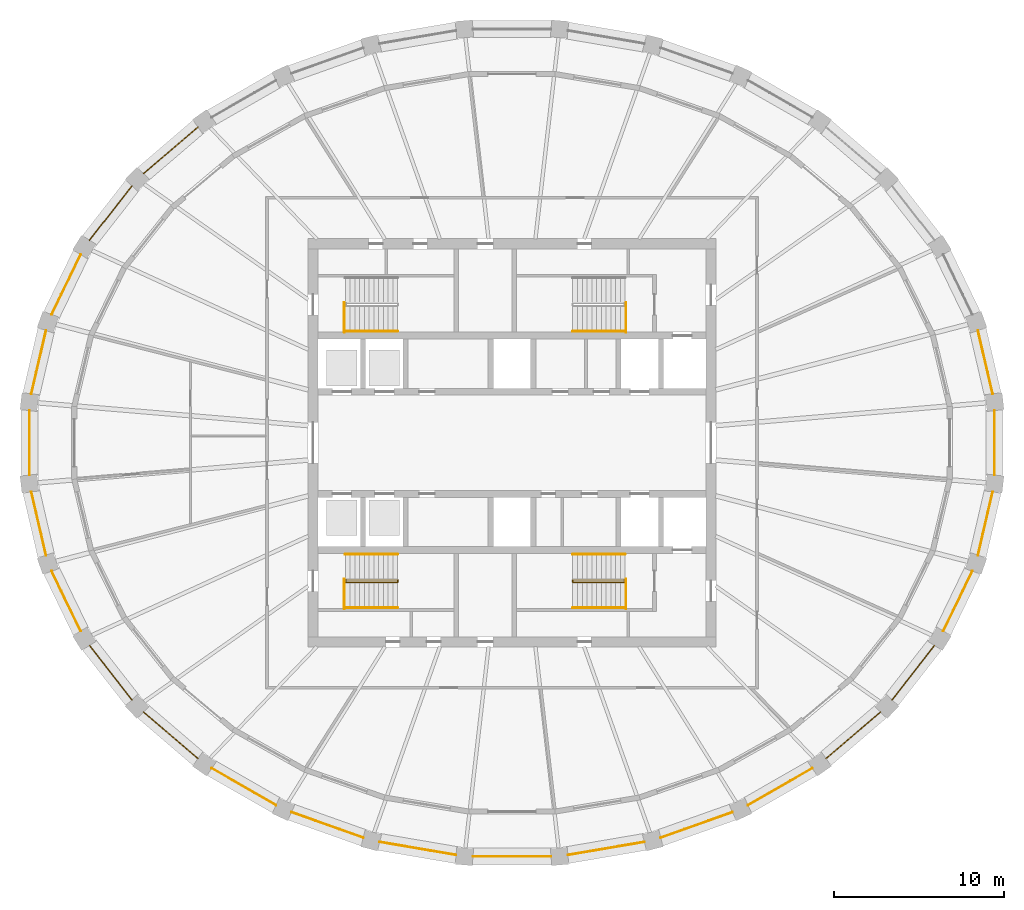
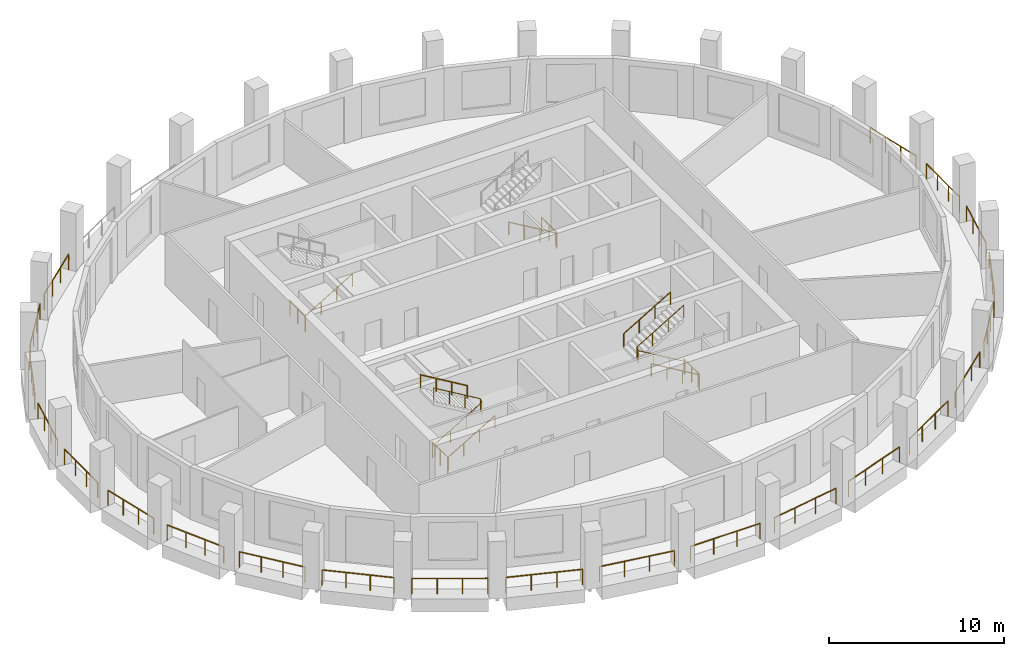
# One storey, part 8 of 10: 34 railings.
"""IFC4 building model written with IfcOpenShell, lengths in metres."""

from ifc_helpers import new_model, si_unit, direction, frame, origin, origin_2d, place, context, subcontext, project, spatial, circle, extrude, material, type_object, element, save


model = new_model("IFC4")

# Units and contexts
model_context = context("Model", 3, precision=1e-05, world=origin(), true_north=direction((0.0, 1.0)))
body_context = subcontext(model_context, "Body", "Model", "MODEL_VIEW")
ifc_project = project(units=[si_unit("LENGTHUNIT", "METRE"), si_unit("AREAUNIT", "SQUARE_METRE"), si_unit("VOLUMEUNIT", "CUBIC_METRE"), si_unit("PLANEANGLEUNIT", "RADIAN"), si_unit("MASSUNIT", "GRAM", prefix="KILO")], contexts=[model_context])

# Site, building, storey
site_placement = place(None, origin())
site = spatial("IfcSite", under=ifc_project, at=site_placement, CompositionType="ELEMENT")
building_placement = place(site_placement, origin())
building = spatial("IfcBuilding", under=site, at=building_placement, Name="Halqa Exchange Tower", CompositionType="ELEMENT")
storey_placement = place(building_placement, frame((0.0, 0.0, 324.300048828125)))
storey = spatial("IfcBuildingStorey", under=building, at=storey_placement, Name="L76", CompositionType="ELEMENT", Elevation=324.300048828125)

# Railings
ifc_material = material(Name="Stainless steel", Category="steel")
railing_type_1 = type_object("IfcRailingType", Name="Guard 1100 stainless steel", PredefinedType="GUARDRAIL", material=ifc_material)
railing_1_placement = place(storey_placement, frame((28.249755859375, 2.881591796875, 0.0)))
element("IfcRailing", 1, at=railing_1_placement, inside=storey, type_object=railing_type_1, Name="Loggia guard 1", PredefinedType="GUARDRAIL", context=body_context, shape_type="SweptSolid", body=[
    extrude(circle(Radius=0.02392578125, at=origin_2d()), frame((0.0, 0.0, 1.076171875), z_axis=(-0.226100478953, 0.97410398491, 0.0), x_axis=(-0.97410398491, -0.226100478953, 0.0)), (0.0, 0.0, 1.0), 3.8212890625),
    extrude(circle(Radius=0.02099609375, at=origin_2d()), origin(), (0.0, 0.0, 1.0), 1.052001953125),
    extrude(circle(Radius=0.02099609375, at=origin_2d()), frame((-0.2880859375, 1.24072265625, 0.0)), (0.0, 0.0, 1.0), 1.052001953125),
    extrude(circle(Radius=0.02099609375, at=origin_2d()), frame((-0.575927734375, 2.481689453125, 0.0)), (0.0, 0.0, 1.0), 1.052001953125),
    extrude(circle(Radius=0.02099609375, at=origin_2d()), frame((-0.864013671875, 3.722412109375, 0.0)), (0.0, 0.0, 1.0), 1.052001953125),
])
railing_2_placement = place(storey_placement, frame((-18.459716796875, 18.55810546875, 0.0)))
element("IfcRailing", 2, at=railing_2_placement, inside=storey, type_object=railing_type_1, Name="Loggia guard 12", PredefinedType="GUARDRAIL", context=body_context, shape_type="SweptSolid", body=[
    extrude(circle(Radius=0.02392578125, at=origin_2d()), frame((0.0, 0.0, 1.076171875), z_axis=(-0.75927300229, -0.650772239723, 0.0), x_axis=(0.650772239723, -0.75927300229, 0.0)), (0.0, 0.0, 1.0), 4.203125),
    extrude(circle(Radius=0.02099609375, at=origin_2d()), origin(), (0.0, 0.0, 1.0), 1.052001953125),
    extrude(circle(Radius=0.02099609375, at=origin_2d()), frame((-1.063720703125, -0.911865234375, 0.0)), (0.0, 0.0, 1.0), 1.052001953125),
    extrude(circle(Radius=0.02099609375, at=origin_2d()), frame((-2.127685546875, -1.823486328125, 0.0)), (0.0, 0.0, 1.0), 1.052001953125),
    extrude(circle(Radius=0.02099609375, at=origin_2d()), frame((-3.19140625, -2.7353515625, 0.0)), (0.0, 0.0, 1.0), 1.052001953125),
])
railing_3_placement = place(storey_placement, frame((-22.338134765625, 15.10302734375, 0.0)))
element("IfcRailing", 3, at=railing_3_placement, inside=storey, type_object=railing_type_1, Name="Loggia guard 13", PredefinedType="GUARDRAIL", context=body_context, shape_type="SweptSolid", body=[
    extrude(circle(Radius=0.02392578125, at=origin_2d()), frame((0.0, 0.0, 1.076171875), z_axis=(-0.614821078368, -0.788666622594, 0.0), x_axis=(0.788666622594, -0.614821078368, 0.0)), (0.0, 0.0, 1.0), 4.048828125),
    extrude(circle(Radius=0.02099609375, at=origin_2d()), origin(), (0.0, 0.0, 1.0), 1.052001953125),
    extrude(circle(Radius=0.02099609375, at=origin_2d()), frame((-0.829833984375, -1.064453125, 0.0)), (0.0, 0.0, 1.0), 1.052001953125),
    extrude(circle(Radius=0.02099609375, at=origin_2d()), frame((-1.659423828125, -2.128662109375, 0.0)), (0.0, 0.0, 1.0), 1.052001953125),
    extrude(circle(Radius=0.02099609375, at=origin_2d()), frame((-2.4892578125, -3.193115234375, 0.0)), (0.0, 0.0, 1.0), 1.052001953125),
])
railing_4_placement = place(storey_placement, frame((-25.352294921875, 11.0654296875, 0.0)))
element("IfcRailing", 4, at=railing_4_placement, inside=storey, type_object=railing_type_1, Name="Loggia guard 14", PredefinedType="GUARDRAIL", context=body_context, shape_type="SweptSolid", body=[
    extrude(circle(Radius=0.02392578125, at=origin_2d()), frame((0.0, 0.0, 1.076171875), z_axis=(-0.435146748862, -0.900359543158, 0.0), x_axis=(0.900359543158, -0.435146748862, 0.0)), (0.0, 0.0, 1.0), 3.913818359375),
    extrude(circle(Radius=0.02099609375, at=origin_2d()), origin(), (0.0, 0.0, 1.0), 1.052001953125),
    extrude(circle(Radius=0.02099609375, at=origin_2d()), frame((-0.567626953125, -1.174560546875, 0.0)), (0.0, 0.0, 1.0), 1.052001953125),
    extrude(circle(Radius=0.02099609375, at=origin_2d()), frame((-1.135498046875, -2.349365234375, 0.0)), (0.0, 0.0, 1.0), 1.052001953125),
    extrude(circle(Radius=0.02099609375, at=origin_2d()), frame((-1.703125, -3.52392578125, 0.0)), (0.0, 0.0, 1.0), 1.052001953125),
])
railing_5_placement = place(storey_placement, frame((-27.3857421875, 6.60400390625, 0.0)))
element("IfcRailing", 5, at=railing_5_placement, inside=storey, type_object=railing_type_1, Name="Loggia guard 15", PredefinedType="GUARDRAIL", context=body_context, shape_type="SweptSolid", body=[
    extrude(circle(Radius=0.02392578125, at=origin_2d()), frame((0.0, 0.0, 1.076171875), z_axis=(-0.226100478953, -0.97410398491, 0.0), x_axis=(0.97410398491, -0.226100478953, 0.0)), (0.0, 0.0, 1.0), 3.8212890625),
    extrude(circle(Radius=0.02099609375, at=origin_2d()), origin(), (0.0, 0.0, 1.0), 1.052001953125),
    extrude(circle(Radius=0.02099609375, at=origin_2d()), frame((-0.2880859375, -1.24072265625, 0.0)), (0.0, 0.0, 1.0), 1.052001953125),
    extrude(circle(Radius=0.02099609375, at=origin_2d()), frame((-0.575927734375, -2.481689453125, 0.0)), (0.0, 0.0, 1.0), 1.052001953125),
    extrude(circle(Radius=0.02099609375, at=origin_2d()), frame((-0.864013671875, -3.722412109375, 0.0)), (0.0, 0.0, 1.0), 1.052001953125),
])
railing_6_placement = place(storey_placement, frame((-28.36279296875, 1.894287109375, 0.0)))
element("IfcRailing", 6, at=railing_6_placement, inside=storey, type_object=railing_type_1, Name="Loggia guard 16", PredefinedType="GUARDRAIL", context=body_context, shape_type="SweptSolid", body=[
    extrude(circle(Radius=0.02392578125, at=origin_2d()), frame((0.0, 0.0, 1.076171875), z_axis=(0.0, -1.0, 0.0), x_axis=(1.0, 0.0, 0.0)), (0.0, 0.0, 1.0), 3.78857421875),
    extrude(circle(Radius=0.02099609375, at=origin_2d()), origin(), (0.0, 0.0, 1.0), 1.052001953125),
    extrude(circle(Radius=0.02099609375, at=origin_2d()), frame((0.0, -1.262939453125, 0.0)), (0.0, 0.0, 1.0), 1.052001953125),
    extrude(circle(Radius=0.02099609375, at=origin_2d()), frame((0.0, -2.525634765625, 0.0)), (0.0, 0.0, 1.0), 1.052001953125),
    extrude(circle(Radius=0.02099609375, at=origin_2d()), frame((0.0, -3.78857421875, 0.0)), (0.0, 0.0, 1.0), 1.052001953125),
])
railing_7_placement = place(storey_placement, frame((-28.249755859375, -2.881591796875, 0.0)))
element("IfcRailing", 7, at=railing_7_placement, inside=storey, type_object=railing_type_1, Name="Loggia guard 17", PredefinedType="GUARDRAIL", context=body_context, shape_type="SweptSolid", body=[
    extrude(circle(Radius=0.02392578125, at=origin_2d()), frame((0.0, 0.0, 1.076171875), z_axis=(0.226100478953, -0.97410398491, 0.0), x_axis=(0.97410398491, 0.226100478953, 0.0)), (0.0, 0.0, 1.0), 3.8212890625),
    extrude(circle(Radius=0.02099609375, at=origin_2d()), origin(), (0.0, 0.0, 1.0), 1.052001953125),
    extrude(circle(Radius=0.02099609375, at=origin_2d()), frame((0.2880859375, -1.24072265625, 0.0)), (0.0, 0.0, 1.0), 1.052001953125),
    extrude(circle(Radius=0.02099609375, at=origin_2d()), frame((0.575927734375, -2.481689453125, 0.0)), (0.0, 0.0, 1.0), 1.052001953125),
    extrude(circle(Radius=0.02099609375, at=origin_2d()), frame((0.864013671875, -3.722412109375, 0.0)), (0.0, 0.0, 1.0), 1.052001953125),
])
railing_8_placement = place(storey_placement, frame((-27.055419921875, -7.54150390625, 0.0)))
element("IfcRailing", 8, at=railing_8_placement, inside=storey, type_object=railing_type_1, Name="Loggia guard 18", PredefinedType="GUARDRAIL", context=body_context, shape_type="SweptSolid", body=[
    extrude(circle(Radius=0.02392578125, at=origin_2d()), frame((0.0, 0.0, 1.076171875), z_axis=(0.435146748862, -0.900359543158, 0.0), x_axis=(0.900359543158, 0.435146748862, 0.0)), (0.0, 0.0, 1.0), 3.913818359375),
    extrude(circle(Radius=0.02099609375, at=origin_2d()), origin(), (0.0, 0.0, 1.0), 1.052001953125),
    extrude(circle(Radius=0.02099609375, at=origin_2d()), frame((0.567626953125, -1.174560546875, 0.0)), (0.0, 0.0, 1.0), 1.052001953125),
    extrude(circle(Radius=0.02099609375, at=origin_2d()), frame((1.135498046875, -2.349365234375, 0.0)), (0.0, 0.0, 1.0), 1.052001953125),
    extrude(circle(Radius=0.02099609375, at=origin_2d()), frame((1.703125, -3.52392578125, 0.0)), (0.0, 0.0, 1.0), 1.052001953125),
])
railing_9_placement = place(storey_placement, frame((-24.827392578125, -11.909912109375, 0.0)))
element("IfcRailing", 9, at=railing_9_placement, inside=storey, type_object=railing_type_1, Name="Loggia guard 19", PredefinedType="GUARDRAIL", context=body_context, shape_type="SweptSolid", body=[
    extrude(circle(Radius=0.02392578125, at=origin_2d()), frame((0.0, 0.0, 1.076171875), z_axis=(0.614821078368, -0.788666622594, 0.0), x_axis=(0.788666622594, 0.614821078368, 0.0)), (0.0, 0.0, 1.0), 4.048828125),
    extrude(circle(Radius=0.02099609375, at=origin_2d()), origin(), (0.0, 0.0, 1.0), 1.052001953125),
    extrude(circle(Radius=0.02099609375, at=origin_2d()), frame((0.829833984375, -1.064453125, 0.0)), (0.0, 0.0, 1.0), 1.052001953125),
    extrude(circle(Radius=0.02099609375, at=origin_2d()), frame((1.659423828125, -2.128662109375, 0.0)), (0.0, 0.0, 1.0), 1.052001953125),
    extrude(circle(Radius=0.02099609375, at=origin_2d()), frame((2.4892578125, -3.193115234375, 0.0)), (0.0, 0.0, 1.0), 1.052001953125),
])
railing_10_placement = place(storey_placement, frame((-21.651123046875, -15.82275390625, 0.0)))
element("IfcRailing", 10, at=railing_10_placement, inside=storey, type_object=railing_type_1, Name="Loggia guard 20", PredefinedType="GUARDRAIL", context=body_context, shape_type="SweptSolid", body=[
    extrude(circle(Radius=0.02392578125, at=origin_2d()), frame((0.0, 0.0, 1.076171875), z_axis=(0.75927300229, -0.650772239723, 0.0), x_axis=(0.650772239723, 0.75927300229, 0.0)), (0.0, 0.0, 1.0), 4.203125),
    extrude(circle(Radius=0.02099609375, at=origin_2d()), origin(), (0.0, 0.0, 1.0), 1.052001953125),
    extrude(circle(Radius=0.02099609375, at=origin_2d()), frame((1.063720703125, -0.911865234375, 0.0)), (0.0, 0.0, 1.0), 1.052001953125),
    extrude(circle(Radius=0.02099609375, at=origin_2d()), frame((2.127685546875, -1.823486328125, 0.0)), (0.0, 0.0, 1.0), 1.052001953125),
    extrude(circle(Radius=0.02099609375, at=origin_2d()), frame((3.19140625, -2.7353515625, 0.0)), (0.0, 0.0, 1.0), 1.052001953125),
])
railing_11_placement = place(storey_placement, frame((-17.646240234375, -19.132080078125, 0.0)))
element("IfcRailing", 11, at=railing_11_placement, inside=storey, type_object=railing_type_1, Name="Loggia guard 21", PredefinedType="GUARDRAIL", context=body_context, shape_type="SweptSolid", body=[
    extrude(circle(Radius=0.02392578125, at=origin_2d()), frame((0.0, 0.0, 1.076171875), z_axis=(0.867752650497, -0.496996315434, 0.0), x_axis=(0.496996315434, 0.867752650497, 0.0)), (0.0, 0.0, 1.0), 4.353271484375),
    extrude(circle(Radius=0.02099609375, at=origin_2d()), origin(), (0.0, 0.0, 1.0), 1.052001953125),
    extrude(circle(Radius=0.02099609375, at=origin_2d()), frame((1.25927734375, -0.72119140625, 0.0)), (0.0, 0.0, 1.0), 1.052001953125),
    extrude(circle(Radius=0.02099609375, at=origin_2d()), frame((2.518310546875, -1.4423828125, 0.0)), (0.0, 0.0, 1.0), 1.052001953125),
    extrude(circle(Radius=0.02099609375, at=origin_2d()), frame((3.777587890625, -2.16357421875, 0.0)), (0.0, 0.0, 1.0), 1.052001953125),
])
railing_12_placement = place(storey_placement, frame((-12.963623046875, -21.71142578125, 0.0)))
element("IfcRailing", 12, at=railing_12_placement, inside=storey, type_object=railing_type_1, Name="Loggia guard 22", PredefinedType="GUARDRAIL", context=body_context, shape_type="SweptSolid", body=[
    extrude(circle(Radius=0.02392578125, at=origin_2d()), frame((0.0, 0.0, 1.076171875), z_axis=(0.942364531835, -0.334587939321, 0.0), x_axis=(0.334587939321, 0.942364531835, 0.0)), (0.0, 0.0, 1.0), 4.477294921875),
    extrude(circle(Radius=0.02099609375, at=origin_2d()), origin(), (0.0, 0.0, 1.0), 1.052001953125),
    extrude(circle(Radius=0.02099609375, at=origin_2d()), frame((1.406494140625, -0.499267578125, 0.0)), (0.0, 0.0, 1.0), 1.052001953125),
    extrude(circle(Radius=0.02099609375, at=origin_2d()), frame((2.812744140625, -0.998779296875, 0.0)), (0.0, 0.0, 1.0), 1.052001953125),
    extrude(circle(Radius=0.02099609375, at=origin_2d()), frame((4.21923828125, -1.498046875, 0.0)), (0.0, 0.0, 1.0), 1.052001953125),
])
railing_13_placement = place(storey_placement, frame((-7.7802734375, -23.460693359375, 0.0)))
element("IfcRailing", 13, at=railing_13_placement, inside=storey, type_object=railing_type_1, Name="Loggia guard 23", PredefinedType="GUARDRAIL", context=body_context, shape_type="SweptSolid", body=[
    extrude(circle(Radius=0.02392578125, at=origin_2d()), frame((0.0, 0.0, 1.076171875), z_axis=(0.985768911013, -0.168106079843, 0.0), x_axis=(0.168106079843, 0.985768911013, 0.0)), (0.0, 0.0, 1.0), 4.558837890625),
    extrude(circle(Radius=0.02099609375, at=origin_2d()), origin(), (0.0, 0.0, 1.0), 1.052001953125),
    extrude(circle(Radius=0.02099609375, at=origin_2d()), frame((1.498046875, -0.25537109375, 0.0)), (0.0, 0.0, 1.0), 1.052001953125),
    extrude(circle(Radius=0.02099609375, at=origin_2d()), frame((2.995849609375, -0.510986328125, 0.0)), (0.0, 0.0, 1.0), 1.052001953125),
    extrude(circle(Radius=0.02099609375, at=origin_2d()), frame((4.493896484375, -0.766357421875, 0.0)), (0.0, 0.0, 1.0), 1.052001953125),
])
railing_14_placement = place(storey_placement, frame((-2.29345703125, -24.31103515625, 0.0)))
element("IfcRailing", 14, at=railing_14_placement, inside=storey, type_object=railing_type_1, Name="Loggia guard 24", PredefinedType="GUARDRAIL", context=body_context, shape_type="SweptSolid", body=[
    extrude(circle(Radius=0.02392578125, at=origin_2d()), frame((0.0, 0.0, 1.076171875), z_axis=(1.0, 0.0, 0.0), x_axis=(0.0, 1.0, 0.0)), (0.0, 0.0, 1.0), 4.5869140625),
    extrude(circle(Radius=0.02099609375, at=origin_2d()), origin(), (0.0, 0.0, 1.0), 1.052001953125),
    extrude(circle(Radius=0.02099609375, at=origin_2d()), frame((1.529052734375, 0.0, 0.0)), (0.0, 0.0, 1.0), 1.052001953125),
    extrude(circle(Radius=0.02099609375, at=origin_2d()), frame((3.057861328125, 0.0, 0.0)), (0.0, 0.0, 1.0), 1.052001953125),
    extrude(circle(Radius=0.02099609375, at=origin_2d()), frame((4.5869140625, 0.0, 0.0)), (0.0, 0.0, 1.0), 1.052001953125),
])
railing_15_placement = place(storey_placement, frame((3.286376953125, -24.22705078125, 0.0)))
element("IfcRailing", 15, at=railing_15_placement, inside=storey, type_object=railing_type_1, Name="Loggia guard 25", PredefinedType="GUARDRAIL", context=body_context, shape_type="SweptSolid", body=[
    extrude(circle(Radius=0.02392578125, at=origin_2d()), frame((0.0, 0.0, 1.076171875), z_axis=(0.985768911013, 0.168106079843, 0.0), x_axis=(-0.168106079843, 0.985768911013, 0.0)), (0.0, 0.0, 1.0), 4.558837890625),
    extrude(circle(Radius=0.02099609375, at=origin_2d()), origin(), (0.0, 0.0, 1.0), 1.052001953125),
    extrude(circle(Radius=0.02099609375, at=origin_2d()), frame((1.498046875, 0.25537109375, 0.0)), (0.0, 0.0, 1.0), 1.052001953125),
    extrude(circle(Radius=0.02099609375, at=origin_2d()), frame((2.995849609375, 0.510986328125, 0.0)), (0.0, 0.0, 1.0), 1.052001953125),
    extrude(circle(Radius=0.02099609375, at=origin_2d()), frame((4.493896484375, 0.766357421875, 0.0)), (0.0, 0.0, 1.0), 1.052001953125),
])
railing_16_placement = place(storey_placement, frame((8.744384765625, -23.20947265625, 0.0)))
element("IfcRailing", 16, at=railing_16_placement, inside=storey, type_object=railing_type_1, Name="Loggia guard 26", PredefinedType="GUARDRAIL", context=body_context, shape_type="SweptSolid", body=[
    extrude(circle(Radius=0.02392578125, at=origin_2d()), frame((0.0, 0.0, 1.076171875), z_axis=(0.942364531835, 0.334587939321, 0.0), x_axis=(-0.334587939321, 0.942364531835, 0.0)), (0.0, 0.0, 1.0), 4.477294921875),
    extrude(circle(Radius=0.02099609375, at=origin_2d()), origin(), (0.0, 0.0, 1.0), 1.052001953125),
    extrude(circle(Radius=0.02099609375, at=origin_2d()), frame((1.406494140625, 0.499267578125, 0.0)), (0.0, 0.0, 1.0), 1.052001953125),
    extrude(circle(Radius=0.02099609375, at=origin_2d()), frame((2.812744140625, 0.998779296875, 0.0)), (0.0, 0.0, 1.0), 1.052001953125),
    extrude(circle(Radius=0.02099609375, at=origin_2d()), frame((4.21923828125, 1.498046875, 0.0)), (0.0, 0.0, 1.0), 1.052001953125),
])
railing_17_placement = place(storey_placement, frame((13.86865234375, -21.295654296875, 0.0)))
element("IfcRailing", 17, at=railing_17_placement, inside=storey, type_object=railing_type_1, Name="Loggia guard 27", PredefinedType="GUARDRAIL", context=body_context, shape_type="SweptSolid", body=[
    extrude(circle(Radius=0.02392578125, at=origin_2d()), frame((0.0, 0.0, 1.076171875), z_axis=(0.867752650497, 0.496996315434, 0.0), x_axis=(-0.496996315434, 0.867752650497, 0.0)), (0.0, 0.0, 1.0), 4.353271484375),
    extrude(circle(Radius=0.02099609375, at=origin_2d()), origin(), (0.0, 0.0, 1.0), 1.052001953125),
    extrude(circle(Radius=0.02099609375, at=origin_2d()), frame((1.25927734375, 0.72119140625, 0.0)), (0.0, 0.0, 1.0), 1.052001953125),
    extrude(circle(Radius=0.02099609375, at=origin_2d()), frame((2.518310546875, 1.4423828125, 0.0)), (0.0, 0.0, 1.0), 1.052001953125),
    extrude(circle(Radius=0.02099609375, at=origin_2d()), frame((3.777587890625, 2.16357421875, 0.0)), (0.0, 0.0, 1.0), 1.052001953125),
])
railing_18_placement = place(storey_placement, frame((18.459716796875, -18.55810546875, 0.0)))
element("IfcRailing", 18, at=railing_18_placement, inside=storey, type_object=railing_type_1, Name="Loggia guard 28", PredefinedType="GUARDRAIL", context=body_context, shape_type="SweptSolid", body=[
    extrude(circle(Radius=0.02392578125, at=origin_2d()), frame((0.0, 0.0, 1.076171875), z_axis=(0.75927300229, 0.650772239723, 0.0), x_axis=(-0.650772239723, 0.75927300229, 0.0)), (0.0, 0.0, 1.0), 4.203125),
    extrude(circle(Radius=0.02099609375, at=origin_2d()), origin(), (0.0, 0.0, 1.0), 1.052001953125),
    extrude(circle(Radius=0.02099609375, at=origin_2d()), frame((1.063720703125, 0.911865234375, 0.0)), (0.0, 0.0, 1.0), 1.052001953125),
    extrude(circle(Radius=0.02099609375, at=origin_2d()), frame((2.127685546875, 1.823486328125, 0.0)), (0.0, 0.0, 1.0), 1.052001953125),
    extrude(circle(Radius=0.02099609375, at=origin_2d()), frame((3.19140625, 2.7353515625, 0.0)), (0.0, 0.0, 1.0), 1.052001953125),
])
railing_19_placement = place(storey_placement, frame((22.338134765625, -15.10302734375, 0.0)))
element("IfcRailing", 19, at=railing_19_placement, inside=storey, type_object=railing_type_1, Name="Loggia guard 29", PredefinedType="GUARDRAIL", context=body_context, shape_type="SweptSolid", body=[
    extrude(circle(Radius=0.02392578125, at=origin_2d()), frame((0.0, 0.0, 1.076171875), z_axis=(0.614821078368, 0.788666622594, 0.0), x_axis=(-0.788666622594, 0.614821078368, 0.0)), (0.0, 0.0, 1.0), 4.048828125),
    extrude(circle(Radius=0.02099609375, at=origin_2d()), origin(), (0.0, 0.0, 1.0), 1.052001953125),
    extrude(circle(Radius=0.02099609375, at=origin_2d()), frame((0.829833984375, 1.064453125, 0.0)), (0.0, 0.0, 1.0), 1.052001953125),
    extrude(circle(Radius=0.02099609375, at=origin_2d()), frame((1.659423828125, 2.128662109375, 0.0)), (0.0, 0.0, 1.0), 1.052001953125),
    extrude(circle(Radius=0.02099609375, at=origin_2d()), frame((2.4892578125, 3.193115234375, 0.0)), (0.0, 0.0, 1.0), 1.052001953125),
])
railing_20_placement = place(storey_placement, frame((25.352294921875, -11.0654296875, 0.0)))
element("IfcRailing", 20, at=railing_20_placement, inside=storey, type_object=railing_type_1, Name="Loggia guard 30", PredefinedType="GUARDRAIL", context=body_context, shape_type="SweptSolid", body=[
    extrude(circle(Radius=0.02392578125, at=origin_2d()), frame((0.0, 0.0, 1.076171875), z_axis=(0.435146748862, 0.900359543158, 0.0), x_axis=(-0.900359543158, 0.435146748862, 0.0)), (0.0, 0.0, 1.0), 3.913818359375),
    extrude(circle(Radius=0.02099609375, at=origin_2d()), origin(), (0.0, 0.0, 1.0), 1.052001953125),
    extrude(circle(Radius=0.02099609375, at=origin_2d()), frame((0.567626953125, 1.174560546875, 0.0)), (0.0, 0.0, 1.0), 1.052001953125),
    extrude(circle(Radius=0.02099609375, at=origin_2d()), frame((1.135498046875, 2.349365234375, 0.0)), (0.0, 0.0, 1.0), 1.052001953125),
    extrude(circle(Radius=0.02099609375, at=origin_2d()), frame((1.703125, 3.52392578125, 0.0)), (0.0, 0.0, 1.0), 1.052001953125),
])
railing_21_placement = place(storey_placement, frame((27.3857421875, -6.60400390625, 0.0)))
element("IfcRailing", 21, at=railing_21_placement, inside=storey, type_object=railing_type_1, Name="Loggia guard 31", PredefinedType="GUARDRAIL", context=body_context, shape_type="SweptSolid", body=[
    extrude(circle(Radius=0.02392578125, at=origin_2d()), frame((0.0, 0.0, 1.076171875), z_axis=(0.226100478953, 0.97410398491, 0.0), x_axis=(-0.97410398491, 0.226100478953, 0.0)), (0.0, 0.0, 1.0), 3.8212890625),
    extrude(circle(Radius=0.02099609375, at=origin_2d()), origin(), (0.0, 0.0, 1.0), 1.052001953125),
    extrude(circle(Radius=0.02099609375, at=origin_2d()), frame((0.2880859375, 1.24072265625, 0.0)), (0.0, 0.0, 1.0), 1.052001953125),
    extrude(circle(Radius=0.02099609375, at=origin_2d()), frame((0.575927734375, 2.481689453125, 0.0)), (0.0, 0.0, 1.0), 1.052001953125),
    extrude(circle(Radius=0.02099609375, at=origin_2d()), frame((0.864013671875, 3.722412109375, 0.0)), (0.0, 0.0, 1.0), 1.052001953125),
])
railing_22_placement = place(storey_placement, frame((28.36279296875, -1.894287109375, 0.0)))
element("IfcRailing", 22, at=railing_22_placement, inside=storey, type_object=railing_type_1, Name="Loggia guard 32", PredefinedType="GUARDRAIL", context=body_context, shape_type="SweptSolid", body=[
    extrude(circle(Radius=0.02392578125, at=origin_2d()), frame((0.0, 0.0, 1.076171875), z_axis=(0.0, 1.0, 0.0), x_axis=(-1.0, 0.0, 0.0)), (0.0, 0.0, 1.0), 3.78857421875),
    extrude(circle(Radius=0.02099609375, at=origin_2d()), origin(), (0.0, 0.0, 1.0), 1.052001953125),
    extrude(circle(Radius=0.02099609375, at=origin_2d()), frame((0.0, 1.262939453125, 0.0)), (0.0, 0.0, 1.0), 1.052001953125),
    extrude(circle(Radius=0.02099609375, at=origin_2d()), frame((0.0, 2.525634765625, 0.0)), (0.0, 0.0, 1.0), 1.052001953125),
    extrude(circle(Radius=0.02099609375, at=origin_2d()), frame((0.0, 3.78857421875, 0.0)), (0.0, 0.0, 1.0), 1.052001953125),
])
railing_type_2 = type_object("IfcRailingType", Name="Stair handrail 900", PredefinedType="HANDRAIL", material=ifc_material)
railing_23_placement = place(storey_placement, frame((-9.800048828125, 6.550048828125, 0.166748046875)))
element("IfcRailing", 23, at=railing_23_placement, inside=storey, type_object=railing_type_2, Name="Handrail ST1.2", PredefinedType="HANDRAIL", context=body_context, shape_type="SweptSolid", body=[
    extrude(circle(Radius=0.02392578125, at=origin_2d()), frame((0.0, 0.0, 0.8759765625), z_axis=(0.859308565015, 0.0, 0.511457515432), x_axis=(0.0, 1.0, 0.0)), (0.0, 0.0, 1.0), 3.58447265625),
    extrude(circle(Radius=0.02099609375, at=origin_2d()), origin(), (0.0, 0.0, 1.0), 0.851806640625),
    extrude(circle(Radius=0.02099609375, at=origin_2d()), frame((1.026611328125, 0.0, 0.611083984375)), (0.0, 0.0, 1.0), 0.851806640625),
    extrude(circle(Radius=0.02099609375, at=origin_2d()), frame((2.053466796875, 0.0, 1.22216796875)), (0.0, 0.0, 1.0), 0.851806640625),
    extrude(circle(Radius=0.02099609375, at=origin_2d()), frame((3.080078125, 0.0, 1.833251953125)), (0.0, 0.0, 1.0), 0.851806640625),
])
railing_24_placement = place(storey_placement, frame((6.64990234375, 6.550048828125, 0.166748046875)))
element("IfcRailing", 24, at=railing_24_placement, inside=storey, type_object=railing_type_2, Name="Handrail ST2.2", PredefinedType="HANDRAIL", context=body_context, shape_type="SweptSolid", body=[
    extrude(circle(Radius=0.02392578125, at=origin_2d()), frame((0.0, 0.0, 0.8759765625), z_axis=(-0.859290745958, 0.0, 0.51148745235), x_axis=(0.0, -1.0, 0.0)), (0.0, 0.0, 1.0), 3.584228515625),
    extrude(circle(Radius=0.02099609375, at=origin_2d()), origin(), (0.0, 0.0, 1.0), 0.851806640625),
    extrude(circle(Radius=0.02099609375, at=origin_2d()), frame((-1.026611328125, 0.0, 0.611083984375)), (0.0, 0.0, 1.0), 0.851806640625),
    extrude(circle(Radius=0.02099609375, at=origin_2d()), frame((-2.05322265625, 0.0, 1.22216796875)), (0.0, 0.0, 1.0), 0.851806640625),
    extrude(circle(Radius=0.02099609375, at=origin_2d()), frame((-3.079833984375, 0.0, 1.833251953125)), (0.0, 0.0, 1.0), 0.851806640625),
])
railing_25_placement = place(storey_placement, frame((-9.800048828125, -8.18994140625, 0.166748046875)))
element("IfcRailing", 25, at=railing_25_placement, inside=storey, type_object=railing_type_2, Name="Handrail ST3.1", PredefinedType="HANDRAIL", context=body_context, shape_type="SweptSolid", body=[
    extrude(circle(Radius=0.02392578125, at=origin_2d()), frame((0.0, 0.0, 0.8759765625), z_axis=(0.859308565015, 0.0, 0.511457515432), x_axis=(0.0, 1.0, 0.0)), (0.0, 0.0, 1.0), 3.58447265625),
    extrude(circle(Radius=0.02392578125, at=origin_2d()), frame((3.080078125, 0.0, 2.708984375), z_axis=(0.0, 0.614500226555, 0.788916644243), x_axis=(-1.0, 0.0, 0.0)), (0.0, 0.0, 1.0), 0.21142578125),
    extrude(circle(Radius=0.02392578125, at=origin_2d()), frame((3.080078125, 0.1298828125, 2.8759765625), z_axis=(-0.859308565015, 0.0, 0.511457515432), x_axis=(0.0, -1.0, 0.0)), (0.0, 0.0, 1.0), 3.58447265625),
    extrude(circle(Radius=0.02099609375, at=origin_2d()), origin(), (0.0, 0.0, 1.0), 0.851806640625),
    extrude(circle(Radius=0.02099609375, at=origin_2d()), frame((1.026611328125, 0.0, 0.611083984375)), (0.0, 0.0, 1.0), 0.851806640625),
    extrude(circle(Radius=0.02099609375, at=origin_2d()), frame((2.053466796875, 0.0, 1.22216796875)), (0.0, 0.0, 1.0), 0.851806640625),
    extrude(circle(Radius=0.02099609375, at=origin_2d()), frame((3.080078125, 0.0, 1.833251953125)), (0.0, 0.0, 1.0), 0.851806640625),
    extrude(circle(Radius=0.02099609375, at=origin_2d()), frame((3.080078125, 0.1298828125, 2.0)), (0.0, 0.0, 1.0), 0.851806640625),
    extrude(circle(Radius=0.02099609375, at=origin_2d()), frame((2.053466796875, 0.1298828125, 2.611083984375)), (0.0, 0.0, 1.0), 0.851806640625),
    extrude(circle(Radius=0.02099609375, at=origin_2d()), frame((1.026611328125, 0.1298828125, 3.22216796875)), (0.0, 0.0, 1.0), 0.851806640625),
    extrude(circle(Radius=0.02099609375, at=origin_2d()), frame((0.0, 0.1298828125, 3.833251953125)), (0.0, 0.0, 1.0), 0.851806640625),
])
railing_26_placement = place(storey_placement, frame((-9.800048828125, -9.699951171875, 0.166748046875)))
element("IfcRailing", 26, at=railing_26_placement, inside=storey, type_object=railing_type_2, Name="Handrail ST3.2", PredefinedType="HANDRAIL", context=body_context, shape_type="SweptSolid", body=[
    extrude(circle(Radius=0.02392578125, at=origin_2d()), frame((0.0, 0.0, 0.8759765625), z_axis=(0.859308565015, 0.0, 0.511457515432), x_axis=(0.0, 1.0, 0.0)), (0.0, 0.0, 1.0), 3.58447265625),
    extrude(circle(Radius=0.02099609375, at=origin_2d()), origin(), (0.0, 0.0, 1.0), 0.851806640625),
    extrude(circle(Radius=0.02099609375, at=origin_2d()), frame((1.026611328125, 0.0, 0.611083984375)), (0.0, 0.0, 1.0), 0.851806640625),
    extrude(circle(Radius=0.02099609375, at=origin_2d()), frame((2.053466796875, 0.0, 1.22216796875)), (0.0, 0.0, 1.0), 0.851806640625),
    extrude(circle(Radius=0.02099609375, at=origin_2d()), frame((3.080078125, 0.0, 1.833251953125)), (0.0, 0.0, 1.0), 0.851806640625),
])
railing_27_placement = place(storey_placement, frame((-6.719970703125, -6.550048828125, 2.166748046875)))
element("IfcRailing", 27, at=railing_27_placement, inside=storey, type_object=railing_type_2, Name="Handrail ST3.3", PredefinedType="HANDRAIL", context=body_context, shape_type="SweptSolid", body=[
    extrude(circle(Radius=0.02392578125, at=origin_2d()), frame((0.0, 0.0, 0.8759765625), z_axis=(-0.859308565015, 0.0, 0.511457515432), x_axis=(0.0, -1.0, 0.0)), (0.0, 0.0, 1.0), 3.58447265625),
    extrude(circle(Radius=0.02099609375, at=origin_2d()), origin(), (0.0, 0.0, 1.0), 0.851806640625),
    extrude(circle(Radius=0.02099609375, at=origin_2d()), frame((-1.026611328125, 0.0, 0.611083984375)), (0.0, 0.0, 1.0), 0.851806640625),
    extrude(circle(Radius=0.02099609375, at=origin_2d()), frame((-2.053466796875, 0.0, 1.22216796875)), (0.0, 0.0, 1.0), 0.851806640625),
    extrude(circle(Radius=0.02099609375, at=origin_2d()), frame((-3.080078125, 0.0, 1.833251953125)), (0.0, 0.0, 1.0), 0.851806640625),
])
railing_28_placement = place(storey_placement, frame((6.64990234375, -8.18994140625, 0.166748046875)))
element("IfcRailing", 28, at=railing_28_placement, inside=storey, type_object=railing_type_2, Name="Handrail ST4.1", PredefinedType="HANDRAIL", context=body_context, shape_type="SweptSolid", body=[
    extrude(circle(Radius=0.02392578125, at=origin_2d()), frame((0.0, 0.0, 0.8759765625), z_axis=(-0.859290745958, 0.0, 0.51148745235), x_axis=(0.0, -1.0, 0.0)), (0.0, 0.0, 1.0), 3.584228515625),
    extrude(circle(Radius=0.02392578125, at=origin_2d()), frame((-3.079833984375, 0.0, 2.708984375), z_axis=(0.0, 0.614500226555, 0.788916644243), x_axis=(-1.0, 0.0, 0.0)), (0.0, 0.0, 1.0), 0.21142578125),
    extrude(circle(Radius=0.02392578125, at=origin_2d()), frame((-3.079833984375, 0.1298828125, 2.8759765625), z_axis=(0.859290745958, 0.0, 0.51148745235), x_axis=(0.0, 1.0, 0.0)), (0.0, 0.0, 1.0), 3.584228515625),
    extrude(circle(Radius=0.02099609375, at=origin_2d()), origin(), (0.0, 0.0, 1.0), 0.851806640625),
    extrude(circle(Radius=0.02099609375, at=origin_2d()), frame((-1.026611328125, 0.0, 0.611083984375)), (0.0, 0.0, 1.0), 0.851806640625),
    extrude(circle(Radius=0.02099609375, at=origin_2d()), frame((-2.05322265625, 0.0, 1.22216796875)), (0.0, 0.0, 1.0), 0.851806640625),
    extrude(circle(Radius=0.02099609375, at=origin_2d()), frame((-3.079833984375, 0.0, 1.833251953125)), (0.0, 0.0, 1.0), 0.851806640625),
    extrude(circle(Radius=0.02099609375, at=origin_2d()), frame((-3.079833984375, 0.1298828125, 2.0)), (0.0, 0.0, 1.0), 0.851806640625),
    extrude(circle(Radius=0.02099609375, at=origin_2d()), frame((-2.05322265625, 0.1298828125, 2.611083984375)), (0.0, 0.0, 1.0), 0.851806640625),
    extrude(circle(Radius=0.02099609375, at=origin_2d()), frame((-1.026611328125, 0.1298828125, 3.22216796875)), (0.0, 0.0, 1.0), 0.851806640625),
    extrude(circle(Radius=0.02099609375, at=origin_2d()), frame((0.0, 0.1298828125, 3.833251953125)), (0.0, 0.0, 1.0), 0.851806640625),
])
railing_29_placement = place(storey_placement, frame((6.64990234375, -9.699951171875, 0.166748046875)))
element("IfcRailing", 29, at=railing_29_placement, inside=storey, type_object=railing_type_2, Name="Handrail ST4.2", PredefinedType="HANDRAIL", context=body_context, shape_type="SweptSolid", body=[
    extrude(circle(Radius=0.02392578125, at=origin_2d()), frame((0.0, 0.0, 0.8759765625), z_axis=(-0.859290745958, 0.0, 0.51148745235), x_axis=(0.0, -1.0, 0.0)), (0.0, 0.0, 1.0), 3.584228515625),
    extrude(circle(Radius=0.02099609375, at=origin_2d()), origin(), (0.0, 0.0, 1.0), 0.851806640625),
    extrude(circle(Radius=0.02099609375, at=origin_2d()), frame((-1.026611328125, 0.0, 0.611083984375)), (0.0, 0.0, 1.0), 0.851806640625),
    extrude(circle(Radius=0.02099609375, at=origin_2d()), frame((-2.05322265625, 0.0, 1.22216796875)), (0.0, 0.0, 1.0), 0.851806640625),
    extrude(circle(Radius=0.02099609375, at=origin_2d()), frame((-3.079833984375, 0.0, 1.833251953125)), (0.0, 0.0, 1.0), 0.851806640625),
])
railing_30_placement = place(storey_placement, frame((3.570068359375, -6.550048828125, 2.166748046875)))
element("IfcRailing", 30, at=railing_30_placement, inside=storey, type_object=railing_type_2, Name="Handrail ST4.3", PredefinedType="HANDRAIL", context=body_context, shape_type="SweptSolid", body=[
    extrude(circle(Radius=0.02392578125, at=origin_2d()), frame((0.0, 0.0, 0.8759765625), z_axis=(0.859290745958, 0.0, 0.51148745235), x_axis=(0.0, 1.0, 0.0)), (0.0, 0.0, 1.0), 3.584228515625),
    extrude(circle(Radius=0.02099609375, at=origin_2d()), origin(), (0.0, 0.0, 1.0), 0.851806640625),
    extrude(circle(Radius=0.02099609375, at=origin_2d()), frame((1.026611328125, 0.0, 0.611083984375)), (0.0, 0.0, 1.0), 0.851806640625),
    extrude(circle(Radius=0.02099609375, at=origin_2d()), frame((2.05322265625, 0.0, 1.22216796875)), (0.0, 0.0, 1.0), 0.851806640625),
    extrude(circle(Radius=0.02099609375, at=origin_2d()), frame((3.079833984375, 0.0, 1.833251953125)), (0.0, 0.0, 1.0), 0.851806640625),
])
railing_type_3 = type_object("IfcRailingType", Name="Stair well guard 1100", PredefinedType="GUARDRAIL", material=ifc_material)
for number, where, name in (
    (31, (-9.85009765625, 6.5, 0.0), "Guard ST1 well"),
    (32, (6.699951171875, 6.5, 0.0), "Guard ST2 well"),
    (33, (-9.85009765625, -9.75, 0.0), "Guard ST3 well"),
    (34, (6.699951171875, -9.75, 0.0), "Guard ST4 well"),
):
    element("IfcRailing", number, at=place(storey_placement, frame(where)), inside=storey, type_object=railing_type_3, Name=name, PredefinedType="GUARDRAIL", context=body_context, shape_type="SweptSolid", body=[
        extrude(circle(Radius=0.02392578125, at=origin_2d()), frame((0.0, 0.0, 1.076171875), z_axis=(0.0, 1.0, 0.0), x_axis=(-1.0, 0.0, 0.0)), (0.0, 0.0, 1.0), 1.75),
        extrude(circle(Radius=0.02099609375, at=origin_2d()), origin(), (0.0, 0.0, 1.0), 1.052001953125),
        extrude(circle(Radius=0.02099609375, at=origin_2d()), frame((0.0, 0.875, 0.0)), (0.0, 0.0, 1.0), 1.052001953125),
        extrude(circle(Radius=0.02099609375, at=origin_2d()), frame((0.0, 1.75, 0.0)), (0.0, 0.0, 1.0), 1.052001953125),
    ])

save(model, "model.ifc")
